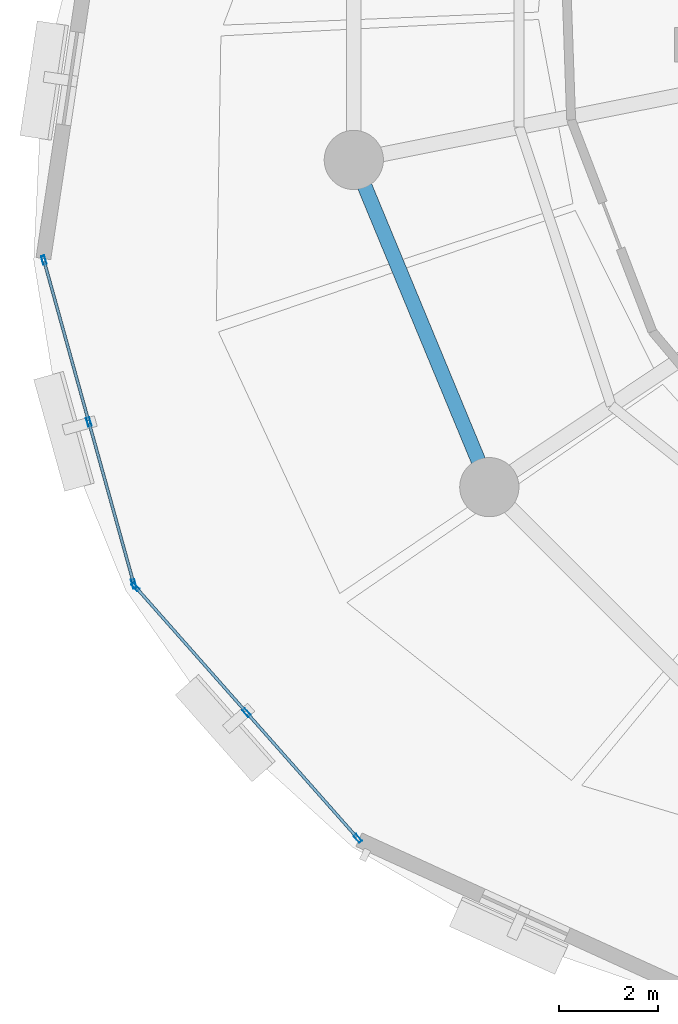
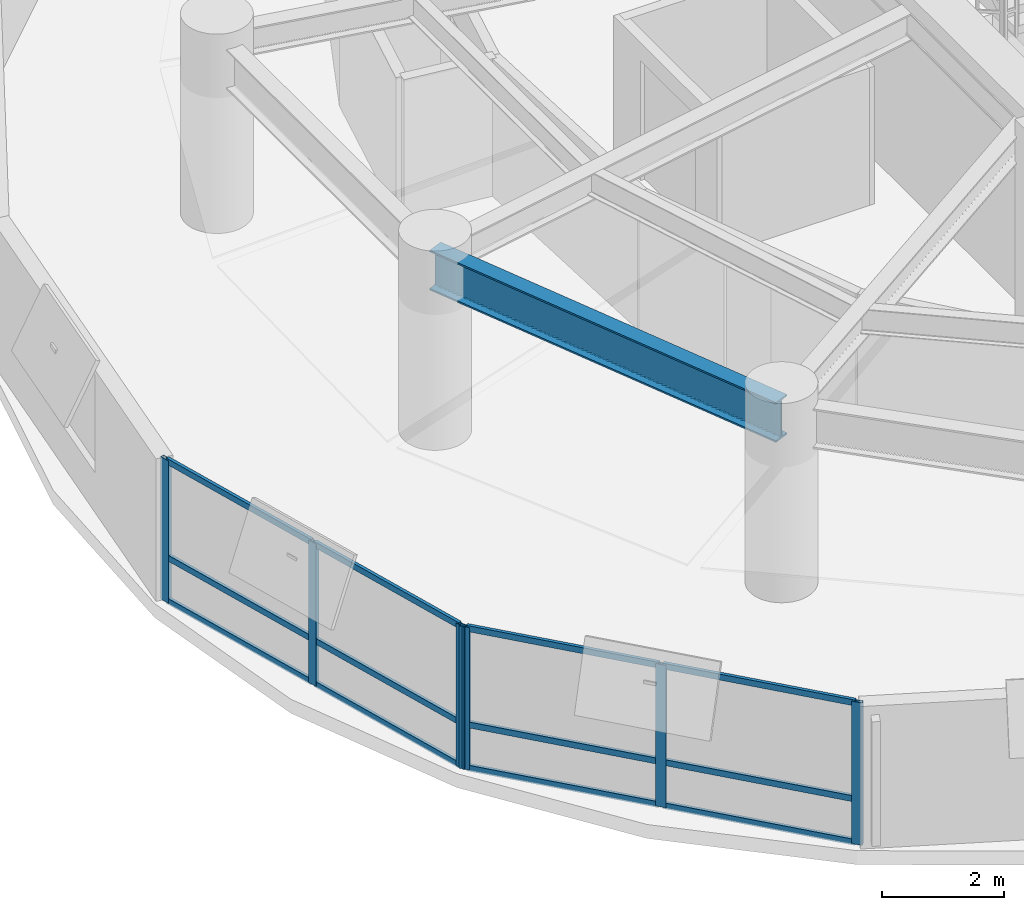
# One storey, part 2 of 12: 18 members, 1 beam, 2 elements without a shape of their own.
"""IFC4 building model written with IfcOpenShell, lengths in metres."""

from ifc_helpers import new_model, si_unit, direction, frame, origin, origin_2d, place, context, subcontext, project, spatial, hollow_rectangle, i_section, extrude, material, layer, layer_set, material_profile, profile_set, type_object, element, aggregate, save


model = new_model("IFC4")

# Units and contexts
model_context = context("Model", 3, precision=1e-05, world=origin(), true_north=direction((0.0, 1.0)))
body_context = subcontext(model_context, "Body", "Model", "MODEL_VIEW")
ifc_project = project(units=[si_unit("LENGTHUNIT", "METRE"), si_unit("AREAUNIT", "SQUARE_METRE"), si_unit("VOLUMEUNIT", "CUBIC_METRE"), si_unit("PLANEANGLEUNIT", "RADIAN"), si_unit("MASSUNIT", "GRAM", prefix="KILO"), si_unit("THERMODYNAMICTEMPERATUREUNIT", "KELVIN"), si_unit("POWERUNIT", "WATT")], contexts=[model_context])

# Site, building, storey
site_placement = place(None, origin())
site = spatial("IfcSite", under=ifc_project, at=site_placement, CompositionType="ELEMENT")
building_placement = place(site_placement, origin())
building = spatial("IfcBuilding", under=site, at=building_placement, Name="Ocrelia Relay Tower", CompositionType="ELEMENT")
storey_placement = place(building_placement, frame((0.0, 0.0, 153.800048828125)))
storey = spatial("IfcBuildingStorey", under=building, at=storey_placement, Name="L36", CompositionType="ELEMENT", Elevation=153.800048828125)

# Beam
ifc_material_1 = material(Name="Steel S355", Category="steel")
ifc_material_profile_1 = material_profile(ifc_material_1, i_section(OverallWidth=0.300048828125, OverallDepth=0.800048828125, WebThickness=0.017578125, FlangeThickness=0.032958984375, FilletRadius=0.030029296875, at=origin_2d()), Name="HEB 800")
ifc_profile_set_1 = profile_set([ifc_material_profile_1], Name="Steel S355")
beam_type = type_object("IfcBeamType", Name="BM-HEB800", PredefinedType="BEAM", material=ifc_profile_set_1)
beam_placement = place(storey_placement, frame((15.95361328125, 22.410400390625, 3.280029296875), z_axis=(0.382673155247, -0.923883789366, 0.0), x_axis=(0.923883789366, 0.382673155247, 0.0)))
element("IfcBeam", 1, at=beam_placement, inside=storey, type_object=beam_type, Name="L36 Perimeter Spandrel Beam S09", PredefinedType="BEAM", context=body_context, shape_type="SweptSolid", body=[
    extrude(i_section(OverallWidth=0.300048828125, OverallDepth=0.800048828125, WebThickness=0.017578125, FlangeThickness=0.032958984375, FilletRadius=0.030029296875, at=origin_2d()), origin(), (0.0, 0.0, 1.0), 7.17919921875),
])

# Curtain wall, members
ifc_material_2 = material(Name="Aluminium and solar-control low-E glass", Category="aluminium")
ifc_layer = layer(ifc_material_2, 0.179931640625, Name="Aluminium and solar-control low-E glass")
ifc_layer_set = layer_set([ifc_layer], Name="Aluminium and solar-control low-E glass")
curtain_wall_type = type_object("IfcCurtainWallType", Name="CW-SYS-Z2-SWIT", PredefinedType="NOTDEFINED", material=ifc_layer_set)
curtain_wall_1_placement = place(storey_placement, origin())
curtain_wall_1 = element("IfcCurtainWall", 2, at=curtain_wall_1_placement, inside=storey, type_object=curtain_wall_type, Name="L36 Elliptical Tower Curtain Wall Bay 09", PredefinedType="NOTDEFINED")
ifc_material_3 = material(Name="Anodised bronze aluminium", Category="aluminium")
ifc_material_profile_2 = material_profile(ifc_material_3, hollow_rectangle(XDim=0.070068359375, YDim=0.179931640625, WallThickness=0.006103515625, at=origin_2d()), Name="CW-MUL-180x70")
ifc_profile_set_2 = profile_set([ifc_material_profile_2], Name="Anodised bronze aluminium")
member_type_1 = type_object("IfcMemberType", Name="CW-SYS-Z2-SWIT-MUL", PredefinedType="MULLION", material=ifc_profile_set_2)
member_1_placement = place(storey_placement, frame((9.669677734375, 20.37890625, 0.0), z_axis=(0.0, 0.0, 1.0), x_axis=(0.963487288488, 0.267754075452, 0.0)))
member_1 = element("IfcMember", 3, at=member_1_placement, type_object=member_type_1, Name="CW-Z2 mullion 1", PredefinedType="MULLION", context=body_context, shape_type="SweptSolid", body=[
    extrude(hollow_rectangle(XDim=0.070068359375, YDim=0.179931640625, WallThickness=0.006103515625, at=origin_2d()), origin(), (0.0, 0.0, 1.0), 2.85986328125),
])
member_2_placement = place(storey_placement, frame((10.581298828125, 17.0986328125, 0.0), z_axis=(0.0, 0.0, 1.0), x_axis=(0.963487288488, 0.267754075452, 0.0)))
member_2 = element("IfcMember", 4, at=member_2_placement, type_object=member_type_1, Name="CW-Z2 mullion 2", PredefinedType="MULLION", context=body_context, shape_type="SweptSolid", body=[
    extrude(hollow_rectangle(XDim=0.070068359375, YDim=0.179931640625, WallThickness=0.006103515625, at=origin_2d()), origin(), (0.0, 0.0, 1.0), 2.85986328125),
])
member_3_placement = place(storey_placement, frame((11.492919921875, 13.818359375, 0.0), z_axis=(0.0, 0.0, 1.0), x_axis=(0.963487288488, 0.267754075452, 0.0)))
member_3 = element("IfcMember", 5, at=member_3_placement, type_object=member_type_1, Name="CW-Z2 mullion 3", PredefinedType="MULLION", context=body_context, shape_type="SweptSolid", body=[
    extrude(hollow_rectangle(XDim=0.070068359375, YDim=0.179931640625, WallThickness=0.006103515625, at=origin_2d()), origin(), (0.0, 0.0, 1.0), 2.85986328125),
])

curtain_wall_2_placement = place(storey_placement, origin())
curtain_wall_2 = element("IfcCurtainWall", 6, at=curtain_wall_2_placement, inside=storey, type_object=curtain_wall_type, Name="L36 Elliptical Tower Curtain Wall Bay 10", PredefinedType="NOTDEFINED")
member_4_placement = place(storey_placement, frame((11.525390625, 13.758544921875, 0.0), z_axis=(0.0, 0.0, 1.0), x_axis=(0.74931029698, 0.662219056537, 0.0)))
member_4 = element("IfcMember", 7, at=member_4_placement, type_object=member_type_1, Name="CW-Z2 mullion 1", PredefinedType="MULLION", context=body_context, shape_type="SweptSolid", body=[
    extrude(hollow_rectangle(XDim=0.070068359375, YDim=0.179931640625, WallThickness=0.006103515625, at=origin_2d()), origin(), (0.0, 0.0, 1.0), 2.85986328125),
])
member_5_placement = place(storey_placement, frame((13.780029296875, 11.20751953125, 0.0), z_axis=(0.0, 0.0, 1.0), x_axis=(0.74931029698, 0.662219056537, 0.0)))
member_5 = element("IfcMember", 8, at=member_5_placement, type_object=member_type_1, Name="CW-Z2 mullion 2", PredefinedType="MULLION", context=body_context, shape_type="SweptSolid", body=[
    extrude(hollow_rectangle(XDim=0.070068359375, YDim=0.179931640625, WallThickness=0.006103515625, at=origin_2d()), origin(), (0.0, 0.0, 1.0), 2.85986328125),
])
member_6_placement = place(storey_placement, frame((16.034423828125, 8.656494140625, 0.0), z_axis=(0.0, 0.0, 1.0), x_axis=(0.74931029698, 0.662219056537, 0.0)))
member_6 = element("IfcMember", 9, at=member_6_placement, type_object=member_type_1, Name="CW-Z2 mullion 3", PredefinedType="MULLION", context=body_context, shape_type="SweptSolid", body=[
    extrude(hollow_rectangle(XDim=0.070068359375, YDim=0.179931640625, WallThickness=0.006103515625, at=origin_2d()), origin(), (0.0, 0.0, 1.0), 2.85986328125),
])

# Member
ifc_material_profile_3 = material_profile(ifc_material_3, hollow_rectangle(XDim=0.06005859375, YDim=0.1201171875, WallThickness=0.0048828125, at=origin_2d()), Name="CW-TRN-120x60")
ifc_profile_set_3 = profile_set([ifc_material_profile_3], Name="Anodised bronze aluminium")
member_type_2 = type_object("IfcMemberType", Name="CW-SYS-Z2-SWIT-TRN", PredefinedType="USERDEFINED", material=ifc_profile_set_3)
member_7_placement = place(storey_placement, frame((9.67919921875, 20.34521484375, 0.030029296875), z_axis=(0.267742039911, -0.963490633096, 0.0), x_axis=(0.963490633096, 0.267742039911, 0.0)))
member_7 = element("IfcMember", 10, at=member_7_placement, type_object=member_type_2, Name="CW-Z2 transom 1.1", ObjectType="TRANSOM", PredefinedType="USERDEFINED", context=body_context, shape_type="SweptSolid", body=[
    extrude(hollow_rectangle(XDim=0.06005859375, YDim=0.1201171875, WallThickness=0.0048828125, at=origin_2d()), origin(), (0.0, 0.0, 1.0), 3.334716796875),
])

member_8_placement = place(storey_placement, frame((9.67919921875, 20.34521484375, 0.89990234375), z_axis=(0.267742039911, -0.963490633096, 0.0), x_axis=(0.963490633096, 0.267742039911, 0.0)))
member_8 = element("IfcMember", 11, at=member_8_placement, type_object=member_type_2, Name="CW-Z2 transom 1.2", ObjectType="TRANSOM", PredefinedType="USERDEFINED", context=body_context, shape_type="SweptSolid", body=[
    extrude(hollow_rectangle(XDim=0.06005859375, YDim=0.1201171875, WallThickness=0.0048828125, at=origin_2d()), origin(), (0.0, 0.0, 1.0), 3.334716796875),
])

member_9_placement = place(storey_placement, frame((9.67919921875, 20.34521484375, 2.829833984375), z_axis=(0.267742039911, -0.963490633096, 0.0), x_axis=(0.963490633096, 0.267742039911, 0.0)))
member_9 = element("IfcMember", 12, at=member_9_placement, type_object=member_type_2, Name="CW-Z2 transom 1.3", ObjectType="TRANSOM", PredefinedType="USERDEFINED", context=body_context, shape_type="SweptSolid", body=[
    extrude(hollow_rectangle(XDim=0.06005859375, YDim=0.1201171875, WallThickness=0.0048828125, at=origin_2d()), origin(), (0.0, 0.0, 1.0), 3.334716796875),
])

member_10_placement = place(storey_placement, frame((10.5908203125, 17.06494140625, 0.030029296875), z_axis=(0.267742039911, -0.963490633096, 0.0), x_axis=(0.963490633096, 0.267742039911, 0.0)))
member_10 = element("IfcMember", 13, at=member_10_placement, type_object=member_type_2, Name="CW-Z2 transom 2.1", ObjectType="TRANSOM", PredefinedType="USERDEFINED", context=body_context, shape_type="SweptSolid", body=[
    extrude(hollow_rectangle(XDim=0.06005859375, YDim=0.1201171875, WallThickness=0.0048828125, at=origin_2d()), origin(), (0.0, 0.0, 1.0), 3.334716796875),
])

member_11_placement = place(storey_placement, frame((10.5908203125, 17.06494140625, 0.89990234375), z_axis=(0.267742039911, -0.963490633096, 0.0), x_axis=(0.963490633096, 0.267742039911, 0.0)))
member_11 = element("IfcMember", 14, at=member_11_placement, type_object=member_type_2, Name="CW-Z2 transom 2.2", ObjectType="TRANSOM", PredefinedType="USERDEFINED", context=body_context, shape_type="SweptSolid", body=[
    extrude(hollow_rectangle(XDim=0.06005859375, YDim=0.1201171875, WallThickness=0.0048828125, at=origin_2d()), origin(), (0.0, 0.0, 1.0), 3.334716796875),
])

member_12_placement = place(storey_placement, frame((10.5908203125, 17.06494140625, 2.829833984375), z_axis=(0.267742039911, -0.963490633096, 0.0), x_axis=(0.963490633096, 0.267742039911, 0.0)))
member_12 = element("IfcMember", 15, at=member_12_placement, type_object=member_type_2, Name="CW-Z2 transom 2.3", ObjectType="TRANSOM", PredefinedType="USERDEFINED", context=body_context, shape_type="SweptSolid", body=[
    extrude(hollow_rectangle(XDim=0.06005859375, YDim=0.1201171875, WallThickness=0.0048828125, at=origin_2d()), origin(), (0.0, 0.0, 1.0), 3.334716796875),
])

aggregate(curtain_wall_1, [member_1, member_2, member_3, member_7, member_8, member_9, member_10, member_11, member_12])

member_13_placement = place(storey_placement, frame((11.548583984375, 13.732177734375, 0.030029296875), z_axis=(0.662238905837, -0.749292754266, 0.0), x_axis=(0.749292754266, 0.662238905837, 0.0)))
member_13 = element("IfcMember", 16, at=member_13_placement, type_object=member_type_2, Name="CW-Z2 transom 1.1", ObjectType="TRANSOM", PredefinedType="USERDEFINED", context=body_context, shape_type="SweptSolid", body=[
    extrude(hollow_rectangle(XDim=0.06005859375, YDim=0.1201171875, WallThickness=0.0048828125, at=origin_2d()), origin(), (0.0, 0.0, 1.0), 3.33447265625),
])

member_14_placement = place(storey_placement, frame((11.548583984375, 13.732177734375, 0.89990234375), z_axis=(0.662238905837, -0.749292754266, 0.0), x_axis=(0.749292754266, 0.662238905837, 0.0)))
member_14 = element("IfcMember", 17, at=member_14_placement, type_object=member_type_2, Name="CW-Z2 transom 1.2", ObjectType="TRANSOM", PredefinedType="USERDEFINED", context=body_context, shape_type="SweptSolid", body=[
    extrude(hollow_rectangle(XDim=0.06005859375, YDim=0.1201171875, WallThickness=0.0048828125, at=origin_2d()), origin(), (0.0, 0.0, 1.0), 3.33447265625),
])

member_15_placement = place(storey_placement, frame((11.548583984375, 13.732177734375, 2.829833984375), z_axis=(0.662238905837, -0.749292754266, 0.0), x_axis=(0.749292754266, 0.662238905837, 0.0)))
member_15 = element("IfcMember", 18, at=member_15_placement, type_object=member_type_2, Name="CW-Z2 transom 1.3", ObjectType="TRANSOM", PredefinedType="USERDEFINED", context=body_context, shape_type="SweptSolid", body=[
    extrude(hollow_rectangle(XDim=0.06005859375, YDim=0.1201171875, WallThickness=0.0048828125, at=origin_2d()), origin(), (0.0, 0.0, 1.0), 3.33447265625),
])

member_16_placement = place(storey_placement, frame((13.80322265625, 11.18115234375, 0.030029296875), z_axis=(0.662197796472, -0.749329085481, 0.0), x_axis=(0.749329085481, 0.662197796472, 0.0)))
member_16 = element("IfcMember", 19, at=member_16_placement, type_object=member_type_2, Name="CW-Z2 transom 2.1", ObjectType="TRANSOM", PredefinedType="USERDEFINED", context=body_context, shape_type="SweptSolid", body=[
    extrude(hollow_rectangle(XDim=0.06005859375, YDim=0.1201171875, WallThickness=0.0048828125, at=origin_2d()), origin(), (0.0, 0.0, 1.0), 3.33447265625),
])

member_17_placement = place(storey_placement, frame((13.80322265625, 11.18115234375, 0.89990234375), z_axis=(0.662197796472, -0.749329085481, 0.0), x_axis=(0.749329085481, 0.662197796472, 0.0)))
member_17 = element("IfcMember", 20, at=member_17_placement, type_object=member_type_2, Name="CW-Z2 transom 2.2", ObjectType="TRANSOM", PredefinedType="USERDEFINED", context=body_context, shape_type="SweptSolid", body=[
    extrude(hollow_rectangle(XDim=0.06005859375, YDim=0.1201171875, WallThickness=0.0048828125, at=origin_2d()), origin(), (0.0, 0.0, 1.0), 3.33447265625),
])

member_18_placement = place(storey_placement, frame((13.80322265625, 11.18115234375, 2.829833984375), z_axis=(0.662197796472, -0.749329085481, 0.0), x_axis=(0.749329085481, 0.662197796472, 0.0)))
member_18 = element("IfcMember", 21, at=member_18_placement, type_object=member_type_2, Name="CW-Z2 transom 2.3", ObjectType="TRANSOM", PredefinedType="USERDEFINED", context=body_context, shape_type="SweptSolid", body=[
    extrude(hollow_rectangle(XDim=0.06005859375, YDim=0.1201171875, WallThickness=0.0048828125, at=origin_2d()), origin(), (0.0, 0.0, 1.0), 3.33447265625),
])

aggregate(curtain_wall_2, [member_4, member_5, member_6, member_13, member_14, member_15, member_16, member_17, member_18])

save(model, "model.ifc")
